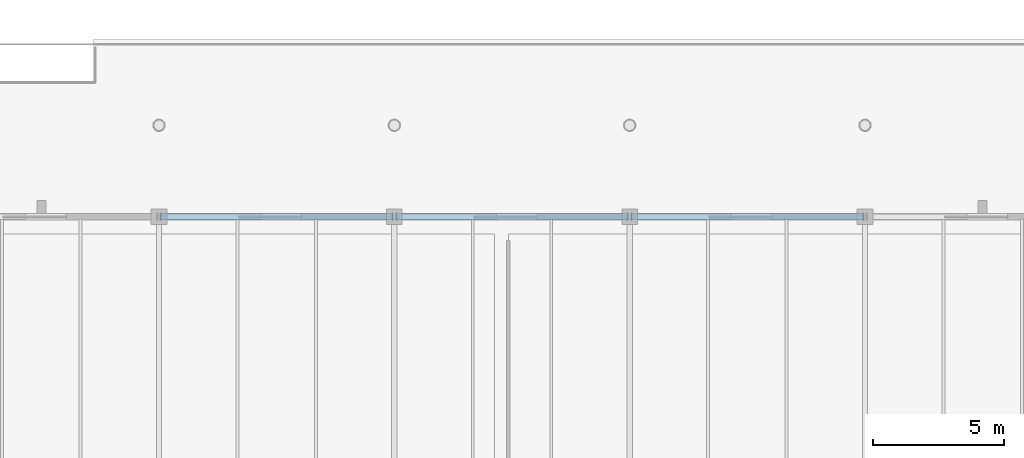
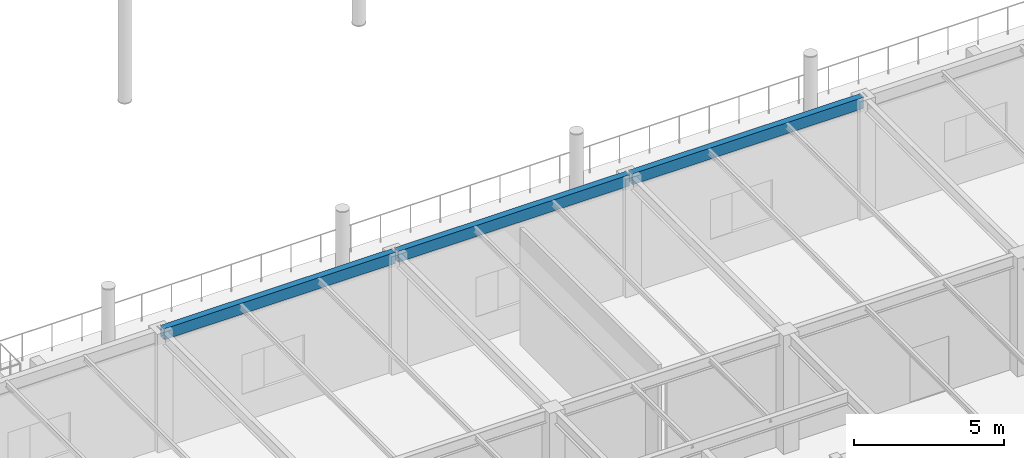
# One storey, part 58 of 143: 3 beams.
"""IFC4 building model written with IfcOpenShell, lengths in metres."""

from ifc_helpers import new_model, si_unit, direction, frame, origin, origin_2d, place, context, subcontext, project, spatial, hollow_rectangle, extrude, material, material_profile, profile_set, type_object, element, save


model = new_model("IFC4")

# Units and contexts
model_context = context("Model", 3, precision=1e-05, world=origin(), true_north=direction((0.0, 1.0)))
body_context = subcontext(model_context, "Body", "Model", "MODEL_VIEW")
ifc_project = project(units=[si_unit("LENGTHUNIT", "METRE"), si_unit("AREAUNIT", "SQUARE_METRE"), si_unit("VOLUMEUNIT", "CUBIC_METRE"), si_unit("PLANEANGLEUNIT", "RADIAN"), si_unit("MASSUNIT", "GRAM", prefix="KILO")], contexts=[model_context])

# Site, building, storey
site_placement = place(None, origin())
site = spatial("IfcSite", under=ifc_project, at=site_placement, CompositionType="ELEMENT")
building_placement = place(site_placement, origin())
building = spatial("IfcBuilding", under=site, at=building_placement, Name="Marlcrest Central Station", CompositionType="ELEMENT")
storey_placement = place(building_placement, frame((0.0, 0.0, 4.800048828125)))
storey = spatial("IfcBuildingStorey", under=building, at=storey_placement, Name="L01", CompositionType="ELEMENT", Elevation=4.800048828125)

# Beams
ifc_material = material(Name="Steel S355", Category="steel")
ifc_material_profile = material_profile(ifc_material, hollow_rectangle(XDim=0.25, YDim=0.449951171875, WallThickness=0.01611328125, at=origin_2d()), Name="RHS 450x250x16")
ifc_profile_set = profile_set([ifc_material_profile], Name="Steel S355")
beam_type = type_object("IfcBeamType", Name="SP-02", PredefinedType="SPANDREL", material=ifc_profile_set)
for number, where, z_axis, x_axis, name in (
    (1, (162.06005859375, 33.0, 4.58984375), (1.0, 0.0, 0.0), (0.0, 1.0, 0.0), "bm-SP-02-L01-00881"),
    (2, (171.06005859375, 33.0, 4.58984375), (1.0, 0.0, 0.0), (0.0, 1.0, 0.0), "bm-SP-02-L01-00882"),
    (3, (180.06005859375, 33.0, 4.58984375), (1.0, 0.0, 0.0), (0.0, 1.0, 0.0), "bm-SP-02-L01-00883"),
):
    element("IfcBeam", number, at=place(storey_placement, frame(where, z_axis=z_axis, x_axis=x_axis)), inside=storey, type_object=beam_type, Name=name, PredefinedType="SPANDREL", context=body_context, shape_type="SweptSolid", body=[
        extrude(hollow_rectangle(XDim=0.25, YDim=0.449951171875, WallThickness=0.01611328125, at=origin_2d()), origin(), (0.0, 0.0, 1.0), 8.8798828125),
    ])

save(model, "model.ifc")
